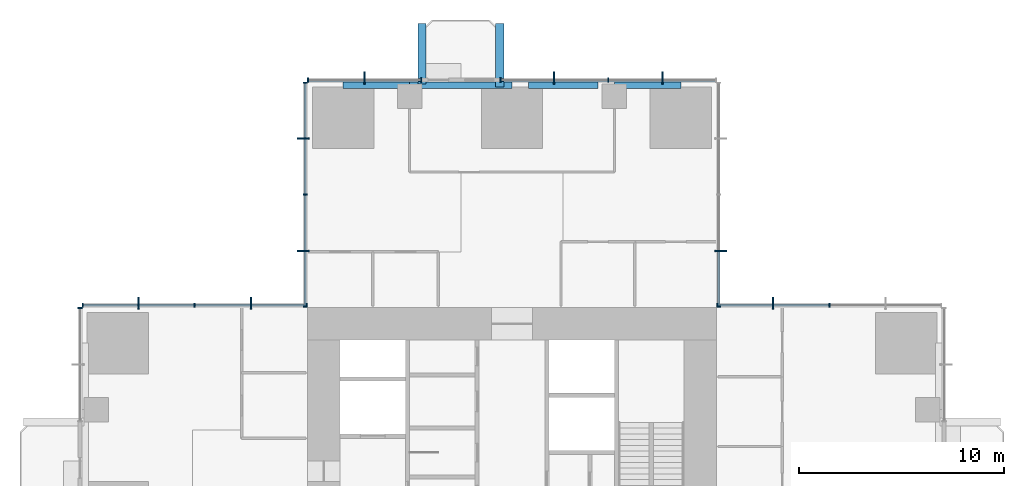
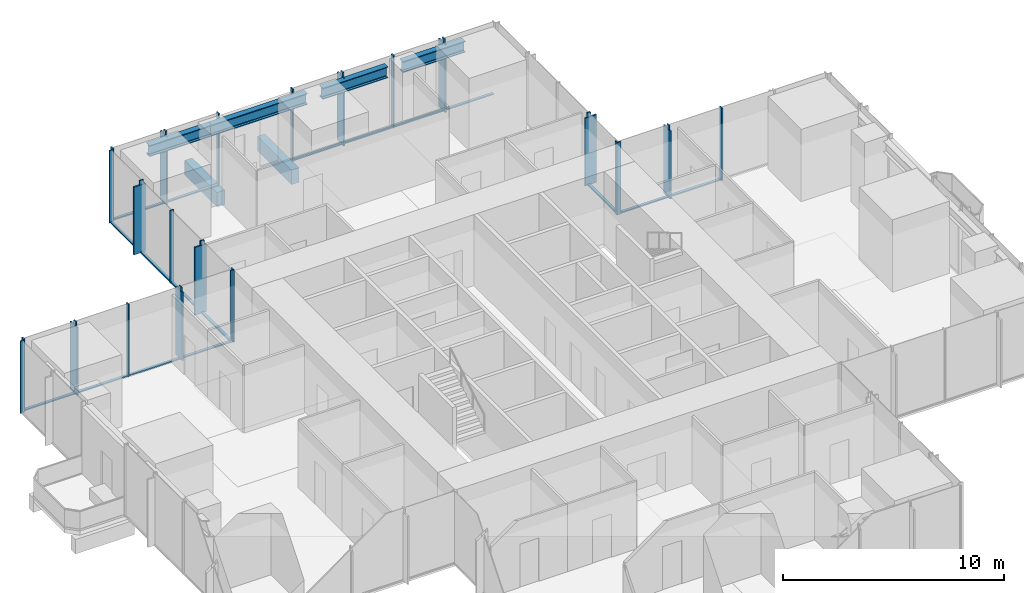
# One storey, part 5 of 13: 49 members, 6 beams, 7 elements without a shape of their own.
"""IFC4 building model written with IfcOpenShell, lengths in metres."""

import ifcopenshell
import ifcopenshell.guid

model = None  # the IFC model being written
_history = None  # IfcOwnerHistory: only IFC2X3 demands one
_inside = {}  # id of a spatial element -> (the spatial element, [elements in it])
_under = {}  # id of a project, library or spatial element -> (it, [spatial elements below it])
_declared = {}  # id of a project -> (the project, [libraries it declares])
_typed = {}  # id of a type object -> (the type object, [elements of that type])
_made_of = {}  # id of a material, layer set ... -> (it, [elements and type objects made of it])


def new_model(schema):
    """Start an empty IFC model of exactly this schema.

    Asked for "IFC4X3", IfcOpenShell would pick the latest addendum, in which some entities
    have other attributes; the version numbers below select the first issue.
    IFC2X3 requires an IfcOwnerHistory on every rooted entity: one is made here for all.
    """
    global model, _history
    if schema == "IFC4X3":
        model = ifcopenshell.file(schema_version=(4, 3, 0, 0))
    else:
        model = ifcopenshell.file(schema=schema)
    _inside.clear()
    _under.clear()
    _declared.clear()
    _typed.clear()
    _made_of.clear()
    _history = None
    if model.schema == "IFC2X3":
        org = make("IfcOrganization", Name="unknown")
        user = make(
            "IfcPersonAndOrganization",
            ThePerson=make("IfcPerson", FamilyName="unknown"),
            TheOrganization=org,
        )
        app = make(
            "IfcApplication",
            ApplicationDeveloper=org,
            Version="unknown",
            ApplicationFullName="unknown",
            ApplicationIdentifier="unknown",
        )
        _history = make(
            "IfcOwnerHistory",
            OwningUser=user,
            OwningApplication=app,
            ChangeAction="ADDED",
            CreationDate=0,
        )
    return model


def make(cls, **values):
    """One entity of the class cls with the attributes given. An attribute that is None is left unset."""
    return model.create_entity(
        cls, **{name: value for name, value in values.items() if value is not None}
    )


def rooted(cls, **values):
    """An entity with a GlobalId (a new one), such as an element, a storey or a relation."""
    return make(cls, GlobalId=ifcopenshell.guid.new(), OwnerHistory=_history, **values)


def si_unit(unit_type, name, prefix=None):
    """IfcSIUnit, for example si_unit("LENGTHUNIT", "METRE", prefix="MILLI")."""
    return make("IfcSIUnit", UnitType=unit_type, Prefix=prefix, Name=name)


def assignment(units):
    """IfcUnitAssignment: the units of a project."""
    return None if units is None else make("IfcUnitAssignment", Units=units)


def point(xyz):
    """IfcCartesianPoint."""
    return None if xyz is None else make("IfcCartesianPoint", Coordinates=xyz)


def direction(xyz):
    """IfcDirection."""
    return None if xyz is None else make("IfcDirection", DirectionRatios=xyz)


def frame(location, z_axis=None, x_axis=None):
    """IfcAxis2Placement3D, a coordinate frame: its origin and axes. An axis left out is left unset."""
    return make(
        "IfcAxis2Placement3D",
        Location=point(location),
        Axis=direction(z_axis),
        RefDirection=direction(x_axis),
    )


def frame_2d(location, x_axis=None):
    """IfcAxis2Placement2D, a coordinate frame in the plane: its origin and x axis."""
    return make(
        "IfcAxis2Placement2D", Location=point(location), RefDirection=direction(x_axis)
    )


def origin():
    """The frame at (0, 0, 0) with its axes left unset."""
    return frame((0.0, 0.0, 0.0))


def origin_2d():
    """The frame at (0, 0) in the plane with its x axis left unset."""
    return frame_2d((0.0, 0.0))


def place(relative_to, where):
    """IfcLocalPlacement: puts the frame where relative to a parent placement (None: the world)."""
    return make(
        "IfcLocalPlacement", PlacementRelTo=relative_to, RelativePlacement=where
    )


def context(
    kind, dimensions, precision=None, world=None, true_north=None, identifier=None
):
    """IfcGeometricRepresentationContext, for example the 3D "Model" context."""
    return make(
        "IfcGeometricRepresentationContext",
        ContextIdentifier=identifier,
        ContextType=kind,
        CoordinateSpaceDimension=dimensions,
        Precision=precision,
        WorldCoordinateSystem=world,
        TrueNorth=true_north,
    )


def subcontext(parent, identifier, kind, view, scale=None):
    """IfcGeometricRepresentationSubContext, for example "Body" below "Model"."""
    return make(
        "IfcGeometricRepresentationSubContext",
        ContextIdentifier=identifier,
        ContextType=kind,
        ParentContext=parent,
        TargetScale=scale,
        TargetView=view,
    )


def project(units=None, contexts=None):
    """IfcProject with its units and contexts."""
    return rooted(
        "IfcProject",
        Name="project",
        RepresentationContexts=contexts,
        UnitsInContext=assignment(units),
    )


def spatial(cls, under=None, at=None, **own):
    """A site, building, storey or space (cls), placed at a placement, below another one or the project."""
    s = rooted(cls, ObjectPlacement=at, **own)
    if under is not None:
        _under.setdefault(under.id(), (under, []))[1].append(s)
    return s


def profile(cls, at=None, kind="AREA", **sizes):
    """A parametric profile (cls). Its sizes go by their IFC names, for example OverallWidth=200.0."""
    return make(cls, ProfileType=kind, Position=at, **sizes)


def rectangle(**sizes):
    """IfcRectangleProfileDef."""
    return profile("IfcRectangleProfileDef", **sizes)


def i_section(**sizes):
    """IfcIShapeProfileDef."""
    return profile("IfcIShapeProfileDef", **sizes)


def extrude(swept, where, along, depth):
    """IfcExtrudedAreaSolid: the profile swept, set in the frame where, extruded along a direction by depth."""
    return make(
        "IfcExtrudedAreaSolid",
        SweptArea=swept,
        Position=where,
        ExtrudedDirection=direction(along),
        Depth=depth,
    )


def shape(context_of_items, identifier, shape_type, items):
    """IfcShapeRepresentation: the items that make up one representation, for example the "Body"."""
    return make(
        "IfcShapeRepresentation",
        ContextOfItems=context_of_items,
        RepresentationIdentifier=identifier,
        RepresentationType=shape_type,
        Items=items,
    )


def material(Name=None, Category=None):
    """IfcMaterial."""
    return make("IfcMaterial", Name=Name, Category=Category)


def material_profile(
    of_material, cross_section, Name=None, Category=None, Priority=None
):
    """IfcMaterialProfile: a cross section and its material."""
    return make(
        "IfcMaterialProfile",
        Name=Name,
        Material=of_material,
        Profile=cross_section,
        Priority=Priority,
        Category=Category,
    )


def profile_set(profiles, Name=None, composite=None):
    """IfcMaterialProfileSet."""
    return make(
        "IfcMaterialProfileSet",
        Name=Name,
        MaterialProfiles=profiles,
        CompositeProfile=composite,
    )


def made_of(thing, what):
    """Note that an element or type object is made of a material, layer set ...; save() writes the relation."""
    if what is not None:
        _made_of.setdefault(what.id(), (what, []))[1].append(thing)
    return thing


def type_object(cls, material=None, **own):
    """A type object (cls), such as IfcWallType, which elements share."""
    return made_of(rooted(cls, **own), material)


def element(
    cls,
    number,
    at=None,
    inside=None,
    cuts=None,
    type_object=None,
    material=None,
    context=None,
    identifier="Body",
    shape_type=None,
    held_by="IfcProductDefinitionShape",
    body=None,
    shapes=None,
    **own,
):
    """One element of the class cls, such as IfcWall. Its Tag is "e" and its number.

    at: its placement. inside: the storey or other place that contains it. cuts: it is an
    opening in that element (IfcRelVoidsElement). A single representation is given by context,
    identifier, shape_type and body (its items); several are given by shapes. held_by: the class
    of the entity that holds the representations. save() writes the other relations.
    """
    e = rooted(cls, Tag="e%d" % number, ObjectPlacement=at, **own)
    if body is not None:
        shapes = [shape(context, identifier, shape_type, body)]
    if shapes is not None:
        e.Representation = make(held_by, Representations=shapes)
    if inside is not None:
        _inside.setdefault(inside.id(), (inside, []))[1].append(e)
    if cuts is not None:
        rooted(
            "IfcRelVoidsElement", RelatingBuildingElement=cuts, RelatedOpeningElement=e
        )
    if type_object is not None:
        _typed.setdefault(type_object.id(), (type_object, []))[1].append(e)
    return made_of(e, material)


def aggregate(whole, parts):
    """IfcRelAggregates: a whole, such as a stair, and the parts it consists of."""
    return rooted("IfcRelAggregates", RelatingObject=whole, RelatedObjects=parts)


def save(model, path):
    """Write the relations noted so far, then the file.

    IfcRelAggregates (storeys below a building ...), IfcRelContainedInSpatialStructure (elements
    in a storey), IfcRelDefinesByType, IfcRelAssociatesMaterial and IfcRelDeclares: one each for
    every whole, place, type object, material and project.
    """
    for whole, parts in _under.values():
        aggregate(whole, parts)
    for where, things in _inside.values():
        rooted(
            "IfcRelContainedInSpatialStructure",
            RelatedElements=things,
            RelatingStructure=where,
        )
    for kind, things in _typed.values():
        rooted("IfcRelDefinesByType", RelatedObjects=things, RelatingType=kind)
    for what, things in _made_of.values():
        rooted("IfcRelAssociatesMaterial", RelatedObjects=things, RelatingMaterial=what)
    for by, libraries in _declared.values():
        rooted("IfcRelDeclares", RelatingContext=by, RelatedDefinitions=libraries)
    model.write(path)


model = new_model("IFC4")

# Units and contexts
model_context = context("Model", 3, precision=1e-05, world=origin(), true_north=direction((0.0, 1.0)))
body_context = subcontext(model_context, "Body", "Model", "MODEL_VIEW")
ifc_project = project(units=[si_unit("LENGTHUNIT", "METRE"), si_unit("AREAUNIT", "SQUARE_METRE"), si_unit("VOLUMEUNIT", "CUBIC_METRE"), si_unit("PLANEANGLEUNIT", "RADIAN"), si_unit("MASSUNIT", "GRAM", prefix="KILO")], contexts=[model_context])

# Site, building, storey
site_placement = place(None, origin())
site = spatial("IfcSite", under=ifc_project, at=site_placement, CompositionType="ELEMENT")
building_placement = place(site_placement, origin())
building = spatial("IfcBuilding", under=site, at=building_placement, Name="Svetlomir Tower", CompositionType="ELEMENT")
storey_placement = place(building_placement, frame((0.0, 0.0, 124.5)))
storey = spatial("IfcBuildingStorey", under=building, at=storey_placement, Name="L29", CompositionType="ELEMENT", Elevation=124.5)

# Beams
ifc_material_1 = material(Name="Concrete C60/75", Category="concrete")
ifc_material_profile_1 = material_profile(ifc_material_1, rectangle(XDim=0.39990234375, YDim=0.800048828125, at=origin_2d()), Name="RC 400x800")
ifc_profile_set_1 = profile_set([ifc_material_profile_1], Name="Concrete C60/75")
beam_type_1 = type_object("IfcBeamType", Name="BALCONY RIB RC 400x800", PredefinedType="BEAM", material=ifc_profile_set_1)
beam_1_placement = place(storey_placement, frame((16.60009765625, 41.89990234375, -0.64990234375), z_axis=(0.0, 1.0, 0.0), x_axis=(-1.0, 0.0, 0.0)))
element("IfcBeam", 1, at=beam_1_placement, inside=storey, type_object=beam_type_1, Name="Balcony rib N 1 L29", PredefinedType="BEAM", context=body_context, shape_type="SweptSolid", body=[
    extrude(rectangle(XDim=0.39990234375, YDim=0.800048828125, at=origin_2d()), origin(), (0.0, 0.0, 1.0), 2.9501953125),
])
beam_2_placement = place(storey_placement, frame((20.39990234375, 41.75, -0.64990234375), z_axis=(0.0, 1.0, 0.0), x_axis=(-1.0, 0.0, 0.0)))
element("IfcBeam", 2, at=beam_2_placement, inside=storey, type_object=beam_type_1, Name="Balcony rib N 2 L29", PredefinedType="BEAM", context=body_context, shape_type="SweptSolid", body=[
    extrude(rectangle(XDim=0.39990234375, YDim=0.800048828125, at=origin_2d()), origin(), (0.0, 0.0, 1.0), 3.10009765625),
])

# Curtain wall, member
ifc_material_2 = material(Name="Bronze anodised aluminium curtain wall", Category="aluminium")
curtain_wall_type = type_object("IfcCurtainWallType", Name="CURTAIN WALL CW1 TOWER OFFICE", PredefinedType="NOTDEFINED", material=ifc_material_2)
curtain_wall_1_placement = place(storey_placement, origin())
curtain_wall_1 = element("IfcCurtainWall", 3, at=curtain_wall_1_placement, inside=storey, type_object=curtain_wall_type, Name="Curtain wall CW1 L29", PredefinedType="NOTDEFINED")
ifc_material_3 = material(Name="Bronze anodised aluminium", Category="aluminium")
ifc_material_profile_2 = material_profile(ifc_material_3, rectangle(XDim=0.080078125, YDim=0.60009765625, at=origin_2d()), Name="FIN 80x600")
ifc_profile_set_2 = profile_set([ifc_material_profile_2], Name="Bronze anodised aluminium 6063-T6")
member_type_1 = type_object("IfcMemberType", Name="BRONZE FIN 80x600", PredefinedType="USERDEFINED", material=ifc_profile_set_2)
member_1_placement = place(storey_placement, frame((33.75, 31.199951171875, 0.0), z_axis=(0.0, 0.0, 1.0), x_axis=(1.0, 0.0, 0.0)))
member_1 = element("IfcMember", 4, at=member_1_placement, type_object=member_type_1, Name="Bronze fin L29", ObjectType="FIN", PredefinedType="USERDEFINED", context=body_context, shape_type="SweptSolid", body=[
    extrude(rectangle(XDim=0.080078125, YDim=0.60009765625, at=origin_2d()), origin(), (0.0, 0.0, 1.0), 3.75),
])

curtain_wall_2_placement = place(storey_placement, origin())
curtain_wall_2 = element("IfcCurtainWall", 5, at=curtain_wall_2_placement, inside=storey, type_object=curtain_wall_type, Name="Curtain wall CW1 L29", PredefinedType="NOTDEFINED")
member_2_placement = place(storey_placement, frame((31.199951171875, 33.75, 0.0), z_axis=(0.0, 0.0, 1.0), x_axis=(0.0, 1.0, 0.0)))
member_2 = element("IfcMember", 6, at=member_2_placement, type_object=member_type_1, Name="Bronze fin L29", ObjectType="FIN", PredefinedType="USERDEFINED", context=body_context, shape_type="SweptSolid", body=[
    extrude(rectangle(XDim=0.080078125, YDim=0.60009765625, at=origin_2d()), origin(), (0.0, 0.0, 1.0), 3.75),
])

# Curtain wall, members
curtain_wall_3_placement = place(storey_placement, origin())
curtain_wall_3 = element("IfcCurtainWall", 7, at=curtain_wall_3_placement, inside=storey, type_object=curtain_wall_type, Name="Curtain wall CW1 L29", PredefinedType="NOTDEFINED")
member_3_placement = place(storey_placement, frame((28.35009765625, 42.199951171875, 0.0), z_axis=(0.0, 0.0, 1.0), x_axis=(1.0, 0.0, 0.0)))
member_3 = element("IfcMember", 8, at=member_3_placement, type_object=member_type_1, Name="Bronze fin L29", ObjectType="FIN", PredefinedType="USERDEFINED", context=body_context, shape_type="SweptSolid", body=[
    extrude(rectangle(XDim=0.080078125, YDim=0.60009765625, at=origin_2d()), origin(), (0.0, 0.0, 1.0), 3.75),
])
member_4_placement = place(storey_placement, frame((23.050048828125, 42.199951171875, 0.0), z_axis=(0.0, 0.0, 1.0), x_axis=(1.0, 0.0, 0.0)))
member_4 = element("IfcMember", 9, at=member_4_placement, type_object=member_type_1, Name="Bronze fin L29", ObjectType="FIN", PredefinedType="USERDEFINED", context=body_context, shape_type="SweptSolid", body=[
    extrude(rectangle(XDim=0.080078125, YDim=0.60009765625, at=origin_2d()), origin(), (0.0, 0.0, 1.0), 3.75),
])

# Curtain wall, member
curtain_wall_4_placement = place(storey_placement, origin())
curtain_wall_4 = element("IfcCurtainWall", 10, at=curtain_wall_4_placement, inside=storey, type_object=curtain_wall_type, Name="Curtain wall CW1 L29", PredefinedType="NOTDEFINED")
member_5_placement = place(storey_placement, frame((13.800048828125, 42.199951171875, 0.0), z_axis=(0.0, 0.0, 1.0), x_axis=(1.0, 0.0, 0.0)))
member_5 = element("IfcMember", 11, at=member_5_placement, type_object=member_type_1, Name="Bronze fin L29", ObjectType="FIN", PredefinedType="USERDEFINED", context=body_context, shape_type="SweptSolid", body=[
    extrude(rectangle(XDim=0.080078125, YDim=0.60009765625, at=origin_2d()), origin(), (0.0, 0.0, 1.0), 3.75),
])

# Curtain wall, members
curtain_wall_5_placement = place(storey_placement, origin())
curtain_wall_5 = element("IfcCurtainWall", 12, at=curtain_wall_5_placement, inside=storey, type_object=curtain_wall_type, Name="Curtain wall CW1 L29", PredefinedType="NOTDEFINED")
member_6_placement = place(storey_placement, frame((10.800048828125, 39.25, 0.0), z_axis=(0.0, 0.0, 1.0), x_axis=(0.0, 1.0, 0.0)))
member_6 = element("IfcMember", 13, at=member_6_placement, type_object=member_type_1, Name="Bronze fin L29", ObjectType="FIN", PredefinedType="USERDEFINED", context=body_context, shape_type="SweptSolid", body=[
    extrude(rectangle(XDim=0.080078125, YDim=0.60009765625, at=origin_2d()), origin(), (0.0, 0.0, 1.0), 3.75),
])
member_7_placement = place(storey_placement, frame((10.800048828125, 33.75, 0.0), z_axis=(0.0, 0.0, 1.0), x_axis=(0.0, 1.0, 0.0)))
member_7 = element("IfcMember", 14, at=member_7_placement, type_object=member_type_1, Name="Bronze fin L29", ObjectType="FIN", PredefinedType="USERDEFINED", context=body_context, shape_type="SweptSolid", body=[
    extrude(rectangle(XDim=0.080078125, YDim=0.60009765625, at=origin_2d()), origin(), (0.0, 0.0, 1.0), 3.75),
])

curtain_wall_6_placement = place(storey_placement, origin())
curtain_wall_6 = element("IfcCurtainWall", 15, at=curtain_wall_6_placement, inside=storey, type_object=curtain_wall_type, Name="Curtain wall CW1 L29", PredefinedType="NOTDEFINED")
member_8_placement = place(storey_placement, frame((8.25, 31.199951171875, 0.0), z_axis=(0.0, 0.0, 1.0), x_axis=(1.0, 0.0, 0.0)))
member_8 = element("IfcMember", 16, at=member_8_placement, type_object=member_type_1, Name="Bronze fin L29", ObjectType="FIN", PredefinedType="USERDEFINED", context=body_context, shape_type="SweptSolid", body=[
    extrude(rectangle(XDim=0.080078125, YDim=0.60009765625, at=origin_2d()), origin(), (0.0, 0.0, 1.0), 3.75),
])
member_9_placement = place(storey_placement, frame((2.75, 31.199951171875, 0.0), z_axis=(0.0, 0.0, 1.0), x_axis=(1.0, 0.0, 0.0)))
member_9 = element("IfcMember", 17, at=member_9_placement, type_object=member_type_1, Name="Bronze fin L29", ObjectType="FIN", PredefinedType="USERDEFINED", context=body_context, shape_type="SweptSolid", body=[
    extrude(rectangle(XDim=0.080078125, YDim=0.60009765625, at=origin_2d()), origin(), (0.0, 0.0, 1.0), 3.75),
])

# Member
ifc_material_4 = material(Name="Bronze anodised aluminium", Category="aluminium")
ifc_material_profile_3 = material_profile(ifc_material_4, rectangle(XDim=0.06494140625, YDim=0.199951171875, at=origin_2d()), Name="AL 65x200")
ifc_profile_set_3 = profile_set([ifc_material_profile_3], Name="Bronze anodised aluminium 6063-T6")
member_type_2 = type_object("IfcMemberType", Name="CW1 MULLION 65x200", PredefinedType="MULLION", material=ifc_profile_set_3)
member_10_placement = place(storey_placement, frame((36.5, 31.10009765625, 0.0), z_axis=(0.0, 0.0, 1.0), x_axis=(-1.0, 0.0, 0.0)))
member_10 = element("IfcMember", 18, at=member_10_placement, type_object=member_type_2, Name="CW1 mullion 3", PredefinedType="MULLION", context=body_context, shape_type="SweptSolid", body=[
    extrude(rectangle(XDim=0.06494140625, YDim=0.199951171875, at=origin_2d()), origin(), (0.0, 0.0, 1.0), 4.0),
])

member_11_placement = place(storey_placement, frame((33.75, 31.10009765625, 0.0), z_axis=(0.0, 0.0, 1.0), x_axis=(-1.0, 0.0, 0.0)))
member_11 = element("IfcMember", 19, at=member_11_placement, type_object=member_type_2, Name="CW1 mullion 4", PredefinedType="MULLION", context=body_context, shape_type="SweptSolid", body=[
    extrude(rectangle(XDim=0.06494140625, YDim=0.199951171875, at=origin_2d()), origin(), (0.0, 0.0, 1.0), 4.0),
])

member_12_placement = place(storey_placement, frame((31.032470703125, 31.10009765625, 0.0), z_axis=(0.0, 0.0, 1.0), x_axis=(-1.0, 0.0, 0.0)))
member_12 = element("IfcMember", 20, at=member_12_placement, type_object=member_type_2, Name="CW1 mullion 5", PredefinedType="MULLION", context=body_context, shape_type="SweptSolid", body=[
    extrude(rectangle(XDim=0.06494140625, YDim=0.199951171875, at=origin_2d()), origin(), (0.0, 0.0, 1.0), 4.0),
])

member_13_placement = place(storey_placement, frame((31.10009765625, 31.032470703125, 0.0), z_axis=(0.0, 0.0, 1.0), x_axis=(0.0, 1.0, 0.0)))
member_13 = element("IfcMember", 21, at=member_13_placement, type_object=member_type_2, Name="CW1 mullion 1", PredefinedType="MULLION", context=body_context, shape_type="SweptSolid", body=[
    extrude(rectangle(XDim=0.06494140625, YDim=0.199951171875, at=origin_2d()), origin(), (0.0, 0.0, 1.0), 4.0),
])

member_14_placement = place(storey_placement, frame((31.10009765625, 33.75, 0.0), z_axis=(0.0, 0.0, 1.0), x_axis=(0.0, 1.0, 0.0)))
member_14 = element("IfcMember", 22, at=member_14_placement, type_object=member_type_2, Name="CW1 mullion 2", PredefinedType="MULLION", context=body_context, shape_type="SweptSolid", body=[
    extrude(rectangle(XDim=0.06494140625, YDim=0.199951171875, at=origin_2d()), origin(), (0.0, 0.0, 1.0), 4.0),
])

member_15_placement = place(storey_placement, frame((28.35009765625, 42.10009765625, 0.0), z_axis=(0.0, 0.0, 1.0), x_axis=(-1.0, 0.0, 0.0)))
member_15 = element("IfcMember", 23, at=member_15_placement, type_object=member_type_2, Name="CW1 mullion 2", PredefinedType="MULLION", context=body_context, shape_type="SweptSolid", body=[
    extrude(rectangle(XDim=0.06494140625, YDim=0.199951171875, at=origin_2d()), origin(), (0.0, 0.0, 1.0), 4.0),
])

member_16_placement = place(storey_placement, frame((25.699951171875, 42.10009765625, 0.0), z_axis=(0.0, 0.0, 1.0), x_axis=(-1.0, 0.0, 0.0)))
member_16 = element("IfcMember", 24, at=member_16_placement, type_object=member_type_2, Name="CW1 mullion 3", PredefinedType="MULLION", context=body_context, shape_type="SweptSolid", body=[
    extrude(rectangle(XDim=0.06494140625, YDim=0.199951171875, at=origin_2d()), origin(), (0.0, 0.0, 1.0), 4.0),
])

member_17_placement = place(storey_placement, frame((23.050048828125, 42.10009765625, 0.0), z_axis=(0.0, 0.0, 1.0), x_axis=(-1.0, 0.0, 0.0)))
member_17 = element("IfcMember", 25, at=member_17_placement, type_object=member_type_2, Name="CW1 mullion 4", PredefinedType="MULLION", context=body_context, shape_type="SweptSolid", body=[
    extrude(rectangle(XDim=0.06494140625, YDim=0.199951171875, at=origin_2d()), origin(), (0.0, 0.0, 1.0), 4.0),
])

member_18_placement = place(storey_placement, frame((20.4326171875, 42.10009765625, 0.0), z_axis=(0.0, 0.0, 1.0), x_axis=(-1.0, 0.0, 0.0)))
member_18 = element("IfcMember", 26, at=member_18_placement, type_object=member_type_2, Name="CW1 mullion 5", PredefinedType="MULLION", context=body_context, shape_type="SweptSolid", body=[
    extrude(rectangle(XDim=0.06494140625, YDim=0.199951171875, at=origin_2d()), origin(), (0.0, 0.0, 1.0), 4.0),
])

member_19_placement = place(storey_placement, frame((16.5673828125, 42.10009765625, 0.0), z_axis=(0.0, 0.0, 1.0), x_axis=(-1.0, 0.0, 0.0)))
member_19 = element("IfcMember", 27, at=member_19_placement, type_object=member_type_2, Name="CW1 mullion 1", PredefinedType="MULLION", context=body_context, shape_type="SweptSolid", body=[
    extrude(rectangle(XDim=0.06494140625, YDim=0.199951171875, at=origin_2d()), origin(), (0.0, 0.0, 1.0), 4.0),
])

member_20_placement = place(storey_placement, frame((13.800048828125, 42.10009765625, 0.0), z_axis=(0.0, 0.0, 1.0), x_axis=(-1.0, 0.0, 0.0)))
member_20 = element("IfcMember", 28, at=member_20_placement, type_object=member_type_2, Name="CW1 mullion 2", PredefinedType="MULLION", context=body_context, shape_type="SweptSolid", body=[
    extrude(rectangle(XDim=0.06494140625, YDim=0.199951171875, at=origin_2d()), origin(), (0.0, 0.0, 1.0), 4.0),
])

member_21_placement = place(storey_placement, frame((11.032470703125, 42.10009765625, 0.0), z_axis=(0.0, 0.0, 1.0), x_axis=(-1.0, 0.0, 0.0)))
member_21 = element("IfcMember", 29, at=member_21_placement, type_object=member_type_2, Name="CW1 mullion 3", PredefinedType="MULLION", context=body_context, shape_type="SweptSolid", body=[
    extrude(rectangle(XDim=0.06494140625, YDim=0.199951171875, at=origin_2d()), origin(), (0.0, 0.0, 1.0), 4.0),
])

member_22_placement = place(storey_placement, frame((10.89990234375, 41.967529296875, 0.0), z_axis=(0.0, 0.0, 1.0), x_axis=(0.0, -1.0, 0.0)))
member_22 = element("IfcMember", 30, at=member_22_placement, type_object=member_type_2, Name="CW1 mullion 1", PredefinedType="MULLION", context=body_context, shape_type="SweptSolid", body=[
    extrude(rectangle(XDim=0.06494140625, YDim=0.199951171875, at=origin_2d()), origin(), (0.0, 0.0, 1.0), 4.0),
])

member_23_placement = place(storey_placement, frame((10.89990234375, 39.25, 0.0), z_axis=(0.0, 0.0, 1.0), x_axis=(0.0, -1.0, 0.0)))
member_23 = element("IfcMember", 31, at=member_23_placement, type_object=member_type_2, Name="CW1 mullion 2", PredefinedType="MULLION", context=body_context, shape_type="SweptSolid", body=[
    extrude(rectangle(XDim=0.06494140625, YDim=0.199951171875, at=origin_2d()), origin(), (0.0, 0.0, 1.0), 4.0),
])

member_24_placement = place(storey_placement, frame((10.89990234375, 36.5, 0.0), z_axis=(0.0, 0.0, 1.0), x_axis=(0.0, -1.0, 0.0)))
member_24 = element("IfcMember", 32, at=member_24_placement, type_object=member_type_2, Name="CW1 mullion 3", PredefinedType="MULLION", context=body_context, shape_type="SweptSolid", body=[
    extrude(rectangle(XDim=0.06494140625, YDim=0.199951171875, at=origin_2d()), origin(), (0.0, 0.0, 1.0), 4.0),
])

member_25_placement = place(storey_placement, frame((10.89990234375, 33.75, 0.0), z_axis=(0.0, 0.0, 1.0), x_axis=(0.0, -1.0, 0.0)))
member_25 = element("IfcMember", 33, at=member_25_placement, type_object=member_type_2, Name="CW1 mullion 4", PredefinedType="MULLION", context=body_context, shape_type="SweptSolid", body=[
    extrude(rectangle(XDim=0.06494140625, YDim=0.199951171875, at=origin_2d()), origin(), (0.0, 0.0, 1.0), 4.0),
])

member_26_placement = place(storey_placement, frame((10.89990234375, 31.032470703125, 0.0), z_axis=(0.0, 0.0, 1.0), x_axis=(0.0, -1.0, 0.0)))
member_26 = element("IfcMember", 34, at=member_26_placement, type_object=member_type_2, Name="CW1 mullion 5", PredefinedType="MULLION", context=body_context, shape_type="SweptSolid", body=[
    extrude(rectangle(XDim=0.06494140625, YDim=0.199951171875, at=origin_2d()), origin(), (0.0, 0.0, 1.0), 4.0),
])

member_27_placement = place(storey_placement, frame((10.967529296875, 31.10009765625, 0.0), z_axis=(0.0, 0.0, 1.0), x_axis=(-1.0, 0.0, 0.0)))
member_27 = element("IfcMember", 35, at=member_27_placement, type_object=member_type_2, Name="CW1 mullion 1", PredefinedType="MULLION", context=body_context, shape_type="SweptSolid", body=[
    extrude(rectangle(XDim=0.06494140625, YDim=0.199951171875, at=origin_2d()), origin(), (0.0, 0.0, 1.0), 4.0),
])

member_28_placement = place(storey_placement, frame((8.25, 31.10009765625, 0.0), z_axis=(0.0, 0.0, 1.0), x_axis=(-1.0, 0.0, 0.0)))
member_28 = element("IfcMember", 36, at=member_28_placement, type_object=member_type_2, Name="CW1 mullion 2", PredefinedType="MULLION", context=body_context, shape_type="SweptSolid", body=[
    extrude(rectangle(XDim=0.06494140625, YDim=0.199951171875, at=origin_2d()), origin(), (0.0, 0.0, 1.0), 4.0),
])

member_29_placement = place(storey_placement, frame((5.5, 31.10009765625, 0.0), z_axis=(0.0, 0.0, 1.0), x_axis=(-1.0, 0.0, 0.0)))
member_29 = element("IfcMember", 37, at=member_29_placement, type_object=member_type_2, Name="CW1 mullion 3", PredefinedType="MULLION", context=body_context, shape_type="SweptSolid", body=[
    extrude(rectangle(XDim=0.06494140625, YDim=0.199951171875, at=origin_2d()), origin(), (0.0, 0.0, 1.0), 4.0),
])

member_30_placement = place(storey_placement, frame((2.75, 31.10009765625, 0.0), z_axis=(0.0, 0.0, 1.0), x_axis=(-1.0, 0.0, 0.0)))
member_30 = element("IfcMember", 38, at=member_30_placement, type_object=member_type_2, Name="CW1 mullion 4", PredefinedType="MULLION", context=body_context, shape_type="SweptSolid", body=[
    extrude(rectangle(XDim=0.06494140625, YDim=0.199951171875, at=origin_2d()), origin(), (0.0, 0.0, 1.0), 4.0),
])

member_31_placement = place(storey_placement, frame((0.032470703125, 31.10009765625, 0.0), z_axis=(0.0, 0.0, 1.0), x_axis=(-1.0, 0.0, 0.0)))
member_31 = element("IfcMember", 39, at=member_31_placement, type_object=member_type_2, Name="CW1 mullion 5", PredefinedType="MULLION", context=body_context, shape_type="SweptSolid", body=[
    extrude(rectangle(XDim=0.06494140625, YDim=0.199951171875, at=origin_2d()), origin(), (0.0, 0.0, 1.0), 4.0),
])

# Curtain wall, member
curtain_wall_7_placement = place(storey_placement, origin())
curtain_wall_7 = element("IfcCurtainWall", 40, at=curtain_wall_7_placement, inside=storey, type_object=curtain_wall_type, Name="Curtain wall CW1 L29", PredefinedType="NOTDEFINED")
member_32_placement = place(storey_placement, frame((-0.10009765625, 30.967529296875, 0.0), z_axis=(0.0, 0.0, 1.0), x_axis=(0.0, -1.0, 0.0)))
member_32 = element("IfcMember", 41, at=member_32_placement, type_object=member_type_2, Name="CW1 mullion 1", PredefinedType="MULLION", context=body_context, shape_type="SweptSolid", body=[
    extrude(rectangle(XDim=0.06494140625, YDim=0.199951171875, at=origin_2d()), origin(), (0.0, 0.0, 1.0), 4.0),
])
aggregate(curtain_wall_7, [member_32])

# Member
ifc_material_5 = material(Name="Bronze anodised aluminium", Category="aluminium")
ifc_material_profile_4 = material_profile(ifc_material_5, rectangle(XDim=0.139892578125, YDim=0.06494140625, at=origin_2d()), Name="AL 140x65")
ifc_profile_set_4 = profile_set([ifc_material_profile_4], Name="Bronze anodised aluminium 6063-T6")
member_type_3 = type_object("IfcMemberType", Name="CW1 TRANSOM 65x140", PredefinedType="USERDEFINED", material=ifc_profile_set_4)
member_33_placement = place(storey_placement, frame((36.467529296875, 31.10009765625, 0.032470703125), z_axis=(-1.0, 0.0, 0.0), x_axis=(0.0, -1.0, 0.0)))
member_33 = element("IfcMember", 42, at=member_33_placement, type_object=member_type_3, Name="CW1 transom 3.1", ObjectType="TRANSOM", PredefinedType="USERDEFINED", context=body_context, shape_type="SweptSolid", body=[
    extrude(rectangle(XDim=0.139892578125, YDim=0.06494140625, at=origin_2d()), origin(), (0.0, 0.0, 1.0), 2.68505859375),
])

member_34_placement = place(storey_placement, frame((33.717529296875, 31.10009765625, 0.032470703125), z_axis=(-1.0, 0.0, 0.0), x_axis=(0.0, -1.0, 0.0)))
member_34 = element("IfcMember", 43, at=member_34_placement, type_object=member_type_3, Name="CW1 transom 4.1", ObjectType="TRANSOM", PredefinedType="USERDEFINED", context=body_context, shape_type="SweptSolid", body=[
    extrude(rectangle(XDim=0.139892578125, YDim=0.06494140625, at=origin_2d()), origin(), (0.0, 0.0, 1.0), 2.652587890625),
])

aggregate(curtain_wall_1, [member_10, member_11, member_12, member_33, member_34, member_1])

member_35_placement = place(storey_placement, frame((31.10009765625, 31.06494140625, 0.032470703125), z_axis=(0.0, 1.0, 0.0), x_axis=(-1.0, 0.0, 0.0)))
member_35 = element("IfcMember", 44, at=member_35_placement, type_object=member_type_3, Name="CW1 transom 1.1", ObjectType="TRANSOM", PredefinedType="USERDEFINED", context=body_context, shape_type="SweptSolid", body=[
    extrude(rectangle(XDim=0.139892578125, YDim=0.06494140625, at=origin_2d()), origin(), (0.0, 0.0, 1.0), 2.652587890625),
])

aggregate(curtain_wall_2, [member_13, member_14, member_35, member_2])

member_36_placement = place(storey_placement, frame((30.93505859375, 42.10009765625, 0.032470703125), z_axis=(-1.0, 0.0, 0.0), x_axis=(0.0, -1.0, 0.0)))
member_36 = element("IfcMember", 45, at=member_36_placement, type_object=member_type_3, Name="CW1 transom 1.1", ObjectType="TRANSOM", PredefinedType="USERDEFINED", context=body_context, shape_type="SweptSolid", body=[
    extrude(rectangle(XDim=0.139892578125, YDim=0.06494140625, at=origin_2d()), origin(), (0.0, 0.0, 1.0), 2.552490234375),
])

member_37_placement = place(storey_placement, frame((28.3173828125, 42.10009765625, 0.032470703125), z_axis=(-1.0, 0.0, 0.0), x_axis=(0.0, -1.0, 0.0)))
member_37 = element("IfcMember", 46, at=member_37_placement, type_object=member_type_3, Name="CW1 transom 2.1", ObjectType="TRANSOM", PredefinedType="USERDEFINED", context=body_context, shape_type="SweptSolid", body=[
    extrude(rectangle(XDim=0.139892578125, YDim=0.06494140625, at=origin_2d()), origin(), (0.0, 0.0, 1.0), 2.5849609375),
])

member_38_placement = place(storey_placement, frame((25.66748046875, 42.10009765625, 0.032470703125), z_axis=(-1.0, 0.0, 0.0), x_axis=(0.0, -1.0, 0.0)))
member_38 = element("IfcMember", 47, at=member_38_placement, type_object=member_type_3, Name="CW1 transom 3.1", ObjectType="TRANSOM", PredefinedType="USERDEFINED", context=body_context, shape_type="SweptSolid", body=[
    extrude(rectangle(XDim=0.139892578125, YDim=0.06494140625, at=origin_2d()), origin(), (0.0, 0.0, 1.0), 2.5849609375),
])

member_39_placement = place(storey_placement, frame((23.017578125, 42.10009765625, 0.032470703125), z_axis=(-1.0, 0.0, 0.0), x_axis=(0.0, -1.0, 0.0)))
member_39 = element("IfcMember", 48, at=member_39_placement, type_object=member_type_3, Name="CW1 transom 4.1", ObjectType="TRANSOM", PredefinedType="USERDEFINED", context=body_context, shape_type="SweptSolid", body=[
    extrude(rectangle(XDim=0.139892578125, YDim=0.06494140625, at=origin_2d()), origin(), (0.0, 0.0, 1.0), 2.552490234375),
])

aggregate(curtain_wall_3, [member_15, member_16, member_17, member_18, member_36, member_37, member_38, member_39, member_3, member_4])

member_40_placement = place(storey_placement, frame((16.534912109375, 42.10009765625, 0.032470703125), z_axis=(-1.0, 0.0, 0.0), x_axis=(0.0, -1.0, 0.0)))
member_40 = element("IfcMember", 49, at=member_40_placement, type_object=member_type_3, Name="CW1 transom 1.1", ObjectType="TRANSOM", PredefinedType="USERDEFINED", context=body_context, shape_type="SweptSolid", body=[
    extrude(rectangle(XDim=0.139892578125, YDim=0.06494140625, at=origin_2d()), origin(), (0.0, 0.0, 1.0), 2.702392578125),
])

member_41_placement = place(storey_placement, frame((13.767578125, 42.10009765625, 0.032470703125), z_axis=(-1.0, 0.0, 0.0), x_axis=(0.0, -1.0, 0.0)))
member_41 = element("IfcMember", 50, at=member_41_placement, type_object=member_type_3, Name="CW1 transom 2.1", ObjectType="TRANSOM", PredefinedType="USERDEFINED", context=body_context, shape_type="SweptSolid", body=[
    extrude(rectangle(XDim=0.139892578125, YDim=0.06494140625, at=origin_2d()), origin(), (0.0, 0.0, 1.0), 2.70263671875),
])

aggregate(curtain_wall_4, [member_19, member_20, member_21, member_40, member_41, member_5])

member_42_placement = place(storey_placement, frame((10.89990234375, 41.93505859375, 0.032470703125), z_axis=(0.0, -1.0, 0.0), x_axis=(1.0, 0.0, 0.0)))
member_42 = element("IfcMember", 51, at=member_42_placement, type_object=member_type_3, Name="CW1 transom 1.1", ObjectType="TRANSOM", PredefinedType="USERDEFINED", context=body_context, shape_type="SweptSolid", body=[
    extrude(rectangle(XDim=0.139892578125, YDim=0.06494140625, at=origin_2d()), origin(), (0.0, 0.0, 1.0), 2.652587890625),
])

member_43_placement = place(storey_placement, frame((10.89990234375, 39.217529296875, 0.032470703125), z_axis=(0.0, -1.0, 0.0), x_axis=(1.0, 0.0, 0.0)))
member_43 = element("IfcMember", 52, at=member_43_placement, type_object=member_type_3, Name="CW1 transom 2.1", ObjectType="TRANSOM", PredefinedType="USERDEFINED", context=body_context, shape_type="SweptSolid", body=[
    extrude(rectangle(XDim=0.139892578125, YDim=0.06494140625, at=origin_2d()), origin(), (0.0, 0.0, 1.0), 2.68505859375),
])

member_44_placement = place(storey_placement, frame((10.89990234375, 36.467529296875, 0.032470703125), z_axis=(0.0, -1.0, 0.0), x_axis=(1.0, 0.0, 0.0)))
member_44 = element("IfcMember", 53, at=member_44_placement, type_object=member_type_3, Name="CW1 transom 3.1", ObjectType="TRANSOM", PredefinedType="USERDEFINED", context=body_context, shape_type="SweptSolid", body=[
    extrude(rectangle(XDim=0.139892578125, YDim=0.06494140625, at=origin_2d()), origin(), (0.0, 0.0, 1.0), 2.68505859375),
])

member_45_placement = place(storey_placement, frame((10.89990234375, 33.717529296875, 0.032470703125), z_axis=(0.0, -1.0, 0.0), x_axis=(1.0, 0.0, 0.0)))
member_45 = element("IfcMember", 54, at=member_45_placement, type_object=member_type_3, Name="CW1 transom 4.1", ObjectType="TRANSOM", PredefinedType="USERDEFINED", context=body_context, shape_type="SweptSolid", body=[
    extrude(rectangle(XDim=0.139892578125, YDim=0.06494140625, at=origin_2d()), origin(), (0.0, 0.0, 1.0), 2.652587890625),
])

aggregate(curtain_wall_5, [member_22, member_23, member_24, member_25, member_26, member_42, member_43, member_44, member_45, member_6, member_7])

member_46_placement = place(storey_placement, frame((10.93505859375, 31.10009765625, 0.032470703125), z_axis=(-1.0, 0.0, 0.0), x_axis=(0.0, -1.0, 0.0)))
member_46 = element("IfcMember", 55, at=member_46_placement, type_object=member_type_3, Name="CW1 transom 1.1", ObjectType="TRANSOM", PredefinedType="USERDEFINED", context=body_context, shape_type="SweptSolid", body=[
    extrude(rectangle(XDim=0.139892578125, YDim=0.06494140625, at=origin_2d()), origin(), (0.0, 0.0, 1.0), 2.652587890625),
])

member_47_placement = place(storey_placement, frame((8.217529296875, 31.10009765625, 0.032470703125), z_axis=(-1.0, 0.0, 0.0), x_axis=(0.0, -1.0, 0.0)))
member_47 = element("IfcMember", 56, at=member_47_placement, type_object=member_type_3, Name="CW1 transom 2.1", ObjectType="TRANSOM", PredefinedType="USERDEFINED", context=body_context, shape_type="SweptSolid", body=[
    extrude(rectangle(XDim=0.139892578125, YDim=0.06494140625, at=origin_2d()), origin(), (0.0, 0.0, 1.0), 2.68505859375),
])

member_48_placement = place(storey_placement, frame((5.467529296875, 31.10009765625, 0.032470703125), z_axis=(-1.0, 0.0, 0.0), x_axis=(0.0, -1.0, 0.0)))
member_48 = element("IfcMember", 57, at=member_48_placement, type_object=member_type_3, Name="CW1 transom 3.1", ObjectType="TRANSOM", PredefinedType="USERDEFINED", context=body_context, shape_type="SweptSolid", body=[
    extrude(rectangle(XDim=0.139892578125, YDim=0.06494140625, at=origin_2d()), origin(), (0.0, 0.0, 1.0), 2.68505859375),
])

member_49_placement = place(storey_placement, frame((2.717529296875, 31.10009765625, 0.032470703125), z_axis=(-1.0, 0.0, 0.0), x_axis=(0.0, -1.0, 0.0)))
member_49 = element("IfcMember", 58, at=member_49_placement, type_object=member_type_3, Name="CW1 transom 4.1", ObjectType="TRANSOM", PredefinedType="USERDEFINED", context=body_context, shape_type="SweptSolid", body=[
    extrude(rectangle(XDim=0.139892578125, YDim=0.06494140625, at=origin_2d()), origin(), (0.0, 0.0, 1.0), 2.652587890625),
])

aggregate(curtain_wall_6, [member_27, member_28, member_29, member_30, member_31, member_46, member_47, member_48, member_49, member_8, member_9])

# Beams
ifc_material_6 = material(Name="Steel S355", Category="steel")
ifc_material_profile_5 = material_profile(ifc_material_6, i_section(OverallWidth=0.304931640625, OverallDepth=0.6201171875, WebThickness=0.02099609375, FlangeThickness=0.0400390625, FilletRadius=0.027099609375, at=origin_2d()), Name="HEM 600")
ifc_profile_set_5 = profile_set([ifc_material_profile_5], Name="Steel S355")
beam_type_2 = type_object("IfcBeamType", Name="EDGE BEAM HEM 600", PredefinedType="SPANDREL", material=ifc_profile_set_5)
beam_3_placement = place(storey_placement, frame((12.75, 41.847412109375, 3.43994140625), z_axis=(1.0, 0.0, 0.0), x_axis=(0.0, 1.0, 0.0)))
element("IfcBeam", 59, at=beam_3_placement, inside=storey, type_object=beam_type_2, Name="Edge beam 11/42 to 16/42 under L30", PredefinedType="SPANDREL", context=body_context, shape_type="SweptSolid", body=[
    extrude(i_section(OverallWidth=0.304931640625, OverallDepth=0.6201171875, WebThickness=0.02099609375, FlangeThickness=0.0400390625, FilletRadius=0.027099609375, at=origin_2d()), origin(), (0.0, 0.0, 1.0), 3.25),
])
beam_4_placement = place(storey_placement, frame((16.0, 41.847412109375, 3.43994140625), z_axis=(1.0, 0.0, 0.0), x_axis=(0.0, 1.0, 0.0)))
element("IfcBeam", 60, at=beam_4_placement, inside=storey, type_object=beam_type_2, Name="Edge beam 16/42 to 21/42 under L30", PredefinedType="SPANDREL", context=body_context, shape_type="SweptSolid", body=[
    extrude(i_section(OverallWidth=0.304931640625, OverallDepth=0.6201171875, WebThickness=0.02099609375, FlangeThickness=0.0400390625, FilletRadius=0.027099609375, at=origin_2d()), origin(), (0.0, 0.0, 1.0), 5.0),
])
beam_5_placement = place(storey_placement, frame((21.800048828125, 41.847412109375, 3.43994140625), z_axis=(1.0, 0.0, 0.0), x_axis=(0.0, 1.0, 0.0)))
element("IfcBeam", 61, at=beam_5_placement, inside=storey, type_object=beam_type_2, Name="Edge beam 21/42 to 26/42 under L30", PredefinedType="SPANDREL", context=body_context, shape_type="SweptSolid", body=[
    extrude(i_section(OverallWidth=0.304931640625, OverallDepth=0.6201171875, WebThickness=0.02099609375, FlangeThickness=0.0400390625, FilletRadius=0.027099609375, at=origin_2d()), origin(), (0.0, 0.0, 1.0), 3.39990234375),
])
beam_6_placement = place(storey_placement, frame((26.0, 41.847412109375, 3.43994140625), z_axis=(1.0, 0.0, 0.0), x_axis=(0.0, 1.0, 0.0)))
element("IfcBeam", 62, at=beam_6_placement, inside=storey, type_object=beam_type_2, Name="Edge beam 26/42 to 31/42 under L30", PredefinedType="SPANDREL", context=body_context, shape_type="SweptSolid", body=[
    extrude(i_section(OverallWidth=0.304931640625, OverallDepth=0.6201171875, WebThickness=0.02099609375, FlangeThickness=0.0400390625, FilletRadius=0.027099609375, at=origin_2d()), origin(), (0.0, 0.0, 1.0), 3.25),
])

save(model, "model.ifc")
